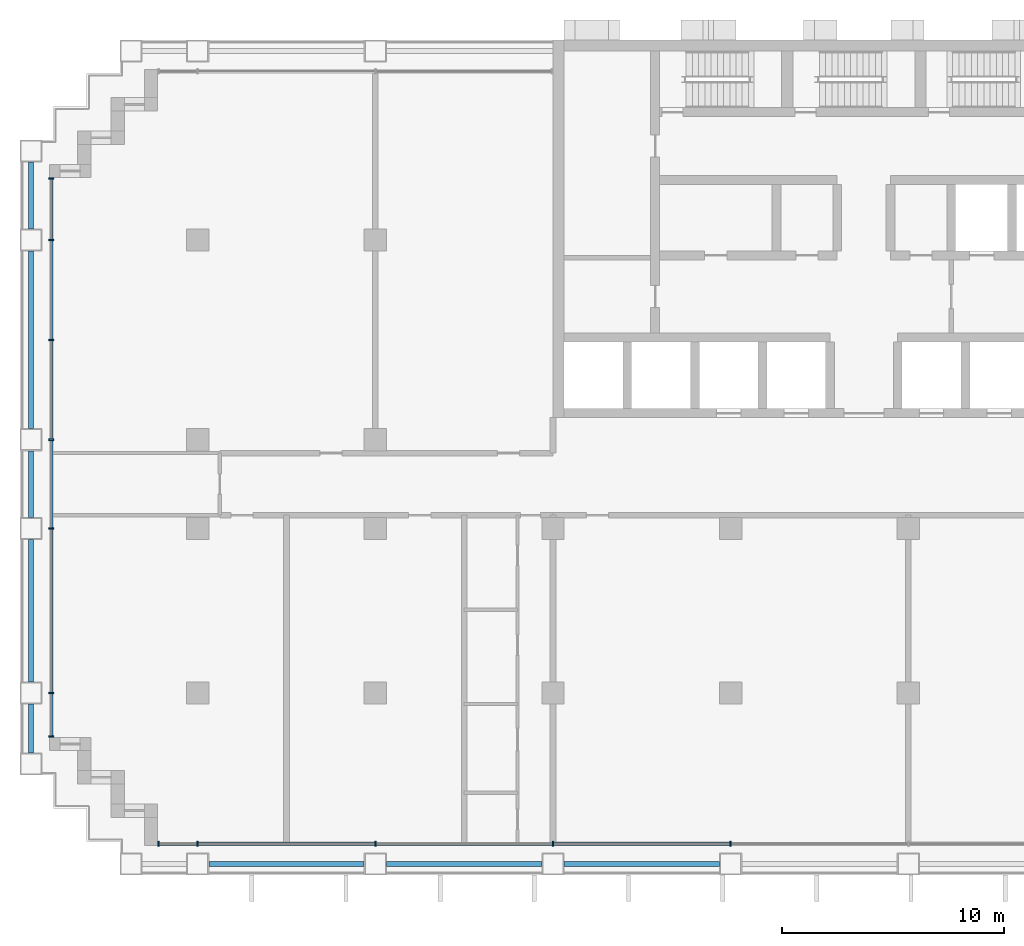
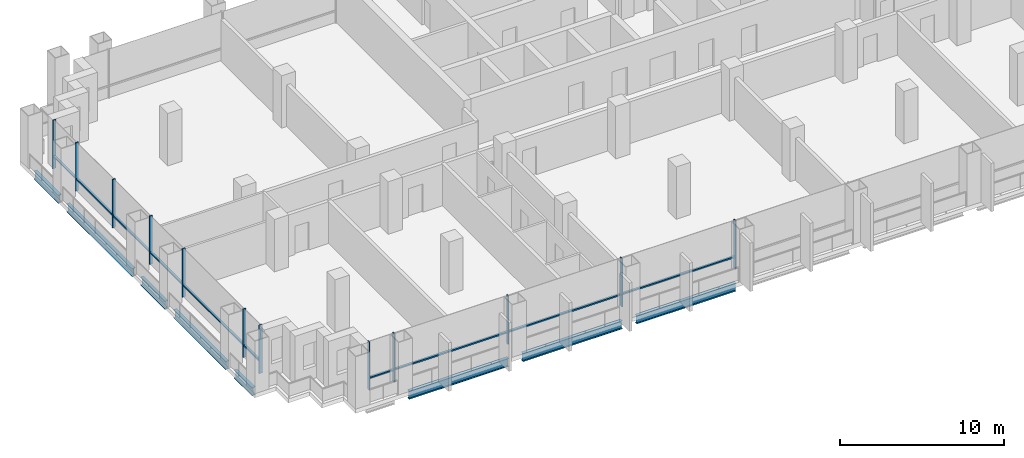
# One storey, part 2 of 13: 22 members, 8 beams, 2 elements without a shape of their own.
"""IFC4 building model written with IfcOpenShell, lengths in metres."""

from ifc_helpers import new_model, si_unit, direction, frame, origin, origin_2d, place, context, subcontext, project, spatial, rectangle, i_section, extrude, material, material_profile, profile_set, type_object, element, aggregate, save


model = new_model("IFC4")

# Units and contexts
model_context = context("Model", 3, precision=1e-05, world=origin(), true_north=direction((0.0, 1.0)))
body_context = subcontext(model_context, "Body", "Model", "MODEL_VIEW")
ifc_project = project(units=[si_unit("LENGTHUNIT", "METRE"), si_unit("AREAUNIT", "SQUARE_METRE"), si_unit("VOLUMEUNIT", "CUBIC_METRE"), si_unit("PLANEANGLEUNIT", "RADIAN"), si_unit("MASSUNIT", "GRAM", prefix="KILO")], contexts=[model_context])

# Site, building, storey
site_placement = place(None, origin())
site = spatial("IfcSite", under=ifc_project, at=site_placement, CompositionType="ELEMENT")
building_placement = place(site_placement, origin())
building = spatial("IfcBuilding", under=site, at=building_placement, Name="Vidyagriha Tower", CompositionType="ELEMENT")
storey_placement = place(building_placement, frame((0.0, 0.0, 29.89990234375)))
storey = spatial("IfcBuildingStorey", under=building, at=storey_placement, Name="L07", CompositionType="ELEMENT", Elevation=29.89990234375)

# Beams
ifc_material_1 = material(Name="Steel ASTM A992 Grade 50", Category="steel")
ifc_material_profile_1 = material_profile(ifc_material_1, i_section(OverallWidth=0.228271484375, OverallDepth=0.607177734375, WebThickness=0.01123046875, FlangeThickness=0.017333984375, at=origin_2d()), Name="W24X76")
ifc_profile_set_1 = profile_set([ifc_material_profile_1], Name="Steel ASTM A992 Grade 50")
beam_type = type_object("IfcBeamType", Name="Edge beam W24X76", PredefinedType="SPANDREL", material=ifc_profile_set_1)
for number, where, z_axis, x_axis, name in (
    (1, (-29.5, -17.10009765625, -0.603515625), (1.0, 0.0, 0.0), (0.0, 1.0, 0.0), "st-beam-L07-S02"),
    (2, (-21.5, -17.10009765625, -0.603515625), (1.0, 0.0, 0.0), (0.0, 1.0, 0.0), "st-beam-L07-S03"),
    (3, (-13.5, -17.10009765625, -0.603515625), (1.0, 0.0, 0.0), (0.0, 1.0, 0.0), "st-beam-L07-S04"),
):
    element("IfcBeam", number, at=place(storey_placement, frame(where, z_axis=z_axis, x_axis=x_axis)), inside=storey, type_object=beam_type, Name=name, PredefinedType="SPANDREL", context=body_context, shape_type="SweptSolid", body=[
        extrude(i_section(OverallWidth=0.228271484375, OverallDepth=0.607177734375, WebThickness=0.01123046875, FlangeThickness=0.017333984375, at=origin_2d()), origin(), (0.0, 0.0, 1.0), 7.0),
    ])
beam_1_placement = place(storey_placement, frame((-37.5, -12.10009765625, -0.603515625), z_axis=(0.0, 1.0, 0.0), x_axis=(-1.0, 0.0, 0.0)))
element("IfcBeam", 4, at=beam_1_placement, inside=storey, type_object=beam_type, Name="st-beam-L07-W10", PredefinedType="SPANDREL", context=body_context, shape_type="SweptSolid", body=[
    extrude(i_section(OverallWidth=0.228271484375, OverallDepth=0.607177734375, WebThickness=0.01123046875, FlangeThickness=0.017333984375, at=origin_2d()), origin(), (0.0, 0.0, 1.0), 2.2001953125),
])
beam_2_placement = place(storey_placement, frame((-37.5, -8.89990234375, -0.603515625), z_axis=(0.0, 1.0, 0.0), x_axis=(-1.0, 0.0, 0.0)))
element("IfcBeam", 5, at=beam_2_placement, inside=storey, type_object=beam_type, Name="st-beam-L07-W11", PredefinedType="SPANDREL", context=body_context, shape_type="SweptSolid", body=[
    extrude(i_section(OverallWidth=0.228271484375, OverallDepth=0.607177734375, WebThickness=0.01123046875, FlangeThickness=0.017333984375, at=origin_2d()), origin(), (0.0, 0.0, 1.0), 6.39990234375),
])
beam_3_placement = place(storey_placement, frame((-37.5, -1.5, -0.603515625), z_axis=(0.0, 1.0, 0.0), x_axis=(-1.0, 0.0, 0.0)))
element("IfcBeam", 6, at=beam_3_placement, inside=storey, type_object=beam_type, Name="st-beam-L07-W12", PredefinedType="SPANDREL", context=body_context, shape_type="SweptSolid", body=[
    extrude(i_section(OverallWidth=0.228271484375, OverallDepth=0.607177734375, WebThickness=0.01123046875, FlangeThickness=0.017333984375, at=origin_2d()), origin(), (0.0, 0.0, 1.0), 3.0),
])
beam_4_placement = place(storey_placement, frame((-37.5, 2.5, -0.603515625), z_axis=(0.0, 1.0, 0.0), x_axis=(-1.0, 0.0, 0.0)))
element("IfcBeam", 7, at=beam_4_placement, inside=storey, type_object=beam_type, Name="st-beam-L07-W13", PredefinedType="SPANDREL", context=body_context, shape_type="SweptSolid", body=[
    extrude(i_section(OverallWidth=0.228271484375, OverallDepth=0.607177734375, WebThickness=0.01123046875, FlangeThickness=0.017333984375, at=origin_2d()), origin(), (0.0, 0.0, 1.0), 8.0),
])
beam_5_placement = place(storey_placement, frame((-37.5, 11.5, -0.603515625), z_axis=(0.0, 1.0, 0.0), x_axis=(-1.0, 0.0, 0.0)))
element("IfcBeam", 8, at=beam_5_placement, inside=storey, type_object=beam_type, Name="st-beam-L07-W14", PredefinedType="SPANDREL", context=body_context, shape_type="SweptSolid", body=[
    extrude(i_section(OverallWidth=0.228271484375, OverallDepth=0.607177734375, WebThickness=0.01123046875, FlangeThickness=0.017333984375, at=origin_2d()), origin(), (0.0, 0.0, 1.0), 3.0),
])

# Curtain wall, members
ifc_material_2 = material(Name="Aluminium and glass curtain wall", Category="aluminium")
curtain_wall_type = type_object("IfcCurtainWallType", Name="Classroom skin unitised curtain wall", PredefinedType="USERDEFINED", material=ifc_material_2)
curtain_wall_1_placement = place(storey_placement, origin())
curtain_wall_1 = element("IfcCurtainWall", 9, at=curtain_wall_1_placement, inside=storey, type_object=curtain_wall_type, Name="CW2 classroom skin", ObjectType="UNITISED", PredefinedType="USERDEFINED")
ifc_material_3 = material(Name="Aluminium black anodised", Category="aluminium")
ifc_material_profile_2 = material_profile(ifc_material_3, rectangle(XDim=0.219970703125, YDim=0.070068359375, at=origin_2d()), Name="Mullion 70x220 black aluminium")
ifc_profile_set_2 = profile_set([ifc_material_profile_2], Name="Aluminium black anodised")
member_type_1 = type_object("IfcMemberType", Name="Mullion 70x220 black aluminium", PredefinedType="MULLION", material=ifc_profile_set_2)
member_1_placement = place(storey_placement, frame((-36.60009765625, 13.764892578125, 0.0)))
member_1 = element("IfcMember", 10, at=member_1_placement, type_object=member_type_1, Name="CW2 mullion 1", PredefinedType="MULLION", context=body_context, shape_type="SweptSolid", body=[
    extrude(rectangle(XDim=0.219970703125, YDim=0.070068359375, at=origin_2d()), origin(), (0.0, 0.0, 1.0), 3.60009765625),
])
member_2_placement = place(storey_placement, frame((-36.60009765625, 11.0, 0.0)))
member_2 = element("IfcMember", 11, at=member_2_placement, type_object=member_type_1, Name="CW2 mullion 2", PredefinedType="MULLION", context=body_context, shape_type="SweptSolid", body=[
    extrude(rectangle(XDim=0.219970703125, YDim=0.070068359375, at=origin_2d()), origin(), (0.0, 0.0, 1.0), 3.60009765625),
])
member_3_placement = place(storey_placement, frame((-36.60009765625, 6.5, 0.0)))
member_3 = element("IfcMember", 12, at=member_3_placement, type_object=member_type_1, Name="CW2 mullion 3", PredefinedType="MULLION", context=body_context, shape_type="SweptSolid", body=[
    extrude(rectangle(XDim=0.219970703125, YDim=0.070068359375, at=origin_2d()), origin(), (0.0, 0.0, 1.0), 3.60009765625),
])
member_4_placement = place(storey_placement, frame((-36.60009765625, 2.0, 0.0)))
member_4 = element("IfcMember", 13, at=member_4_placement, type_object=member_type_1, Name="CW2 mullion 4", PredefinedType="MULLION", context=body_context, shape_type="SweptSolid", body=[
    extrude(rectangle(XDim=0.219970703125, YDim=0.070068359375, at=origin_2d()), origin(), (0.0, 0.0, 1.0), 3.60009765625),
])
member_5_placement = place(storey_placement, frame((-36.60009765625, -2.0, 0.0)))
member_5 = element("IfcMember", 14, at=member_5_placement, type_object=member_type_1, Name="CW2 mullion 5", PredefinedType="MULLION", context=body_context, shape_type="SweptSolid", body=[
    extrude(rectangle(XDim=0.219970703125, YDim=0.070068359375, at=origin_2d()), origin(), (0.0, 0.0, 1.0), 3.60009765625),
])
member_6_placement = place(storey_placement, frame((-36.60009765625, -9.39990234375, 0.0)))
member_6 = element("IfcMember", 15, at=member_6_placement, type_object=member_type_1, Name="CW2 mullion 6", PredefinedType="MULLION", context=body_context, shape_type="SweptSolid", body=[
    extrude(rectangle(XDim=0.219970703125, YDim=0.070068359375, at=origin_2d()), origin(), (0.0, 0.0, 1.0), 3.60009765625),
])
member_7_placement = place(storey_placement, frame((-36.60009765625, -11.364990234375, 0.0)))
member_7 = element("IfcMember", 16, at=member_7_placement, type_object=member_type_1, Name="CW2 mullion 7", PredefinedType="MULLION", context=body_context, shape_type="SweptSolid", body=[
    extrude(rectangle(XDim=0.219970703125, YDim=0.070068359375, at=origin_2d()), origin(), (0.0, 0.0, 1.0), 3.60009765625),
])

curtain_wall_2_placement = place(storey_placement, origin())
curtain_wall_2 = element("IfcCurtainWall", 17, at=curtain_wall_2_placement, inside=storey, type_object=curtain_wall_type, Name="CW2 classroom skin", ObjectType="UNITISED", PredefinedType="USERDEFINED")
member_8_placement = place(storey_placement, frame((-31.764892578125, -16.199951171875, 0.0), z_axis=(0.0, 0.0, 1.0), x_axis=(0.0, 1.0, 0.0)))
member_8 = element("IfcMember", 18, at=member_8_placement, type_object=member_type_1, Name="CW2 mullion 1", PredefinedType="MULLION", context=body_context, shape_type="SweptSolid", body=[
    extrude(rectangle(XDim=0.219970703125, YDim=0.070068359375, at=origin_2d()), origin(), (0.0, 0.0, 1.0), 3.60009765625),
])
member_9_placement = place(storey_placement, frame((-30.0, -16.199951171875, 0.0), z_axis=(0.0, 0.0, 1.0), x_axis=(0.0, 1.0, 0.0)))
member_9 = element("IfcMember", 19, at=member_9_placement, type_object=member_type_1, Name="CW2 mullion 2", PredefinedType="MULLION", context=body_context, shape_type="SweptSolid", body=[
    extrude(rectangle(XDim=0.219970703125, YDim=0.070068359375, at=origin_2d()), origin(), (0.0, 0.0, 1.0), 3.60009765625),
])
member_10_placement = place(storey_placement, frame((-22.0, -16.199951171875, 0.0), z_axis=(0.0, 0.0, 1.0), x_axis=(0.0, 1.0, 0.0)))
member_10 = element("IfcMember", 20, at=member_10_placement, type_object=member_type_1, Name="CW2 mullion 3", PredefinedType="MULLION", context=body_context, shape_type="SweptSolid", body=[
    extrude(rectangle(XDim=0.219970703125, YDim=0.070068359375, at=origin_2d()), origin(), (0.0, 0.0, 1.0), 3.60009765625),
])
member_11_placement = place(storey_placement, frame((-14.0, -16.199951171875, 0.0), z_axis=(0.0, 0.0, 1.0), x_axis=(0.0, 1.0, 0.0)))
member_11 = element("IfcMember", 21, at=member_11_placement, type_object=member_type_1, Name="CW2 mullion 4", PredefinedType="MULLION", context=body_context, shape_type="SweptSolid", body=[
    extrude(rectangle(XDim=0.219970703125, YDim=0.070068359375, at=origin_2d()), origin(), (0.0, 0.0, 1.0), 3.60009765625),
])
member_12_placement = place(storey_placement, frame((-6.0, -16.199951171875, 0.0), z_axis=(0.0, 0.0, 1.0), x_axis=(0.0, 1.0, 0.0)))
member_12 = element("IfcMember", 22, at=member_12_placement, type_object=member_type_1, Name="CW2 mullion 5", PredefinedType="MULLION", context=body_context, shape_type="SweptSolid", body=[
    extrude(rectangle(XDim=0.219970703125, YDim=0.070068359375, at=origin_2d()), origin(), (0.0, 0.0, 1.0), 3.60009765625),
])

# Member
ifc_material_4 = material(Name="Aluminium black anodised", Category="aluminium")
ifc_material_profile_3 = material_profile(ifc_material_4, rectangle(XDim=0.159912109375, YDim=0.10009765625, at=origin_2d()), Name="Transom 100x160 black aluminium")
ifc_profile_set_3 = profile_set([ifc_material_profile_3], Name="Aluminium black anodised")
member_type_2 = type_object("IfcMemberType", Name="Transom 100x160 black aluminium", PredefinedType="USERDEFINED", material=ifc_profile_set_3)
member_13_placement = place(storey_placement, frame((-36.60009765625, 13.72998046875, 0.900146484375), z_axis=(0.0, -1.0, 0.0), x_axis=(1.0, 0.0, 0.0)))
member_13 = element("IfcMember", 23, at=member_13_placement, type_object=member_type_2, Name="CW2 transom 1.1", ObjectType="TRANSOM", PredefinedType="USERDEFINED", context=body_context, shape_type="SweptSolid", body=[
    extrude(rectangle(XDim=0.159912109375, YDim=0.10009765625, at=origin_2d()), origin(), (0.0, 0.0, 1.0), 2.695068359375),
])

member_14_placement = place(storey_placement, frame((-36.60009765625, 10.965087890625, 0.900146484375), z_axis=(0.0, -1.0, 0.0), x_axis=(1.0, 0.0, 0.0)))
member_14 = element("IfcMember", 24, at=member_14_placement, type_object=member_type_2, Name="CW2 transom 2.1", ObjectType="TRANSOM", PredefinedType="USERDEFINED", context=body_context, shape_type="SweptSolid", body=[
    extrude(rectangle(XDim=0.159912109375, YDim=0.10009765625, at=origin_2d()), origin(), (0.0, 0.0, 1.0), 4.43017578125),
])

member_15_placement = place(storey_placement, frame((-36.60009765625, 6.465087890625, 0.900146484375), z_axis=(0.0, -1.0, 0.0), x_axis=(1.0, 0.0, 0.0)))
member_15 = element("IfcMember", 25, at=member_15_placement, type_object=member_type_2, Name="CW2 transom 3.1", ObjectType="TRANSOM", PredefinedType="USERDEFINED", context=body_context, shape_type="SweptSolid", body=[
    extrude(rectangle(XDim=0.159912109375, YDim=0.10009765625, at=origin_2d()), origin(), (0.0, 0.0, 1.0), 4.43017578125),
])

member_16_placement = place(storey_placement, frame((-36.60009765625, 1.965087890625, 0.900146484375), z_axis=(0.0, -1.0, 0.0), x_axis=(1.0, 0.0, 0.0)))
member_16 = element("IfcMember", 26, at=member_16_placement, type_object=member_type_2, Name="CW2 transom 4.1", ObjectType="TRANSOM", PredefinedType="USERDEFINED", context=body_context, shape_type="SweptSolid", body=[
    extrude(rectangle(XDim=0.159912109375, YDim=0.10009765625, at=origin_2d()), origin(), (0.0, 0.0, 1.0), 3.93017578125),
])

member_17_placement = place(storey_placement, frame((-36.60009765625, -2.034912109375, 0.900146484375), z_axis=(0.0, -1.0, 0.0), x_axis=(1.0, 0.0, 0.0)))
member_17 = element("IfcMember", 27, at=member_17_placement, type_object=member_type_2, Name="CW2 transom 5.1", ObjectType="TRANSOM", PredefinedType="USERDEFINED", context=body_context, shape_type="SweptSolid", body=[
    extrude(rectangle(XDim=0.159912109375, YDim=0.10009765625, at=origin_2d()), origin(), (0.0, 0.0, 1.0), 7.330078125),
])

member_18_placement = place(storey_placement, frame((-36.60009765625, -9.43505859375, 0.900146484375), z_axis=(0.0, -1.0, 0.0), x_axis=(1.0, 0.0, 0.0)))
member_18 = element("IfcMember", 28, at=member_18_placement, type_object=member_type_2, Name="CW2 transom 6.1", ObjectType="TRANSOM", PredefinedType="USERDEFINED", context=body_context, shape_type="SweptSolid", body=[
    extrude(rectangle(XDim=0.159912109375, YDim=0.10009765625, at=origin_2d()), origin(), (0.0, 0.0, 1.0), 1.89501953125),
])

aggregate(curtain_wall_1, [member_1, member_2, member_3, member_4, member_5, member_6, member_7, member_13, member_14, member_15, member_16, member_17, member_18])

member_19_placement = place(storey_placement, frame((-31.72998046875, -16.199951171875, 0.900146484375), z_axis=(1.0, 0.0, 0.0), x_axis=(0.0, 1.0, 0.0)))
member_19 = element("IfcMember", 29, at=member_19_placement, type_object=member_type_2, Name="CW2 transom 1.1", ObjectType="TRANSOM", PredefinedType="USERDEFINED", context=body_context, shape_type="SweptSolid", body=[
    extrude(rectangle(XDim=0.159912109375, YDim=0.10009765625, at=origin_2d()), origin(), (0.0, 0.0, 1.0), 1.695068359375),
])

member_20_placement = place(storey_placement, frame((-29.965087890625, -16.199951171875, 0.900146484375), z_axis=(1.0, 0.0, 0.0), x_axis=(0.0, 1.0, 0.0)))
member_20 = element("IfcMember", 30, at=member_20_placement, type_object=member_type_2, Name="CW2 transom 2.1", ObjectType="TRANSOM", PredefinedType="USERDEFINED", context=body_context, shape_type="SweptSolid", body=[
    extrude(rectangle(XDim=0.159912109375, YDim=0.10009765625, at=origin_2d()), origin(), (0.0, 0.0, 1.0), 7.93017578125),
])

member_21_placement = place(storey_placement, frame((-21.965087890625, -16.199951171875, 0.900146484375), z_axis=(1.0, 0.0, 0.0), x_axis=(0.0, 1.0, 0.0)))
member_21 = element("IfcMember", 31, at=member_21_placement, type_object=member_type_2, Name="CW2 transom 3.1", ObjectType="TRANSOM", PredefinedType="USERDEFINED", context=body_context, shape_type="SweptSolid", body=[
    extrude(rectangle(XDim=0.159912109375, YDim=0.10009765625, at=origin_2d()), origin(), (0.0, 0.0, 1.0), 7.93017578125),
])

member_22_placement = place(storey_placement, frame((-13.965087890625, -16.199951171875, 0.900146484375), z_axis=(1.0, 0.0, 0.0), x_axis=(0.0, 1.0, 0.0)))
member_22 = element("IfcMember", 32, at=member_22_placement, type_object=member_type_2, Name="CW2 transom 4.1", ObjectType="TRANSOM", PredefinedType="USERDEFINED", context=body_context, shape_type="SweptSolid", body=[
    extrude(rectangle(XDim=0.159912109375, YDim=0.10009765625, at=origin_2d()), origin(), (0.0, 0.0, 1.0), 7.93017578125),
])

aggregate(curtain_wall_2, [member_8, member_9, member_10, member_11, member_12, member_19, member_20, member_21, member_22])

save(model, "model.ifc")
